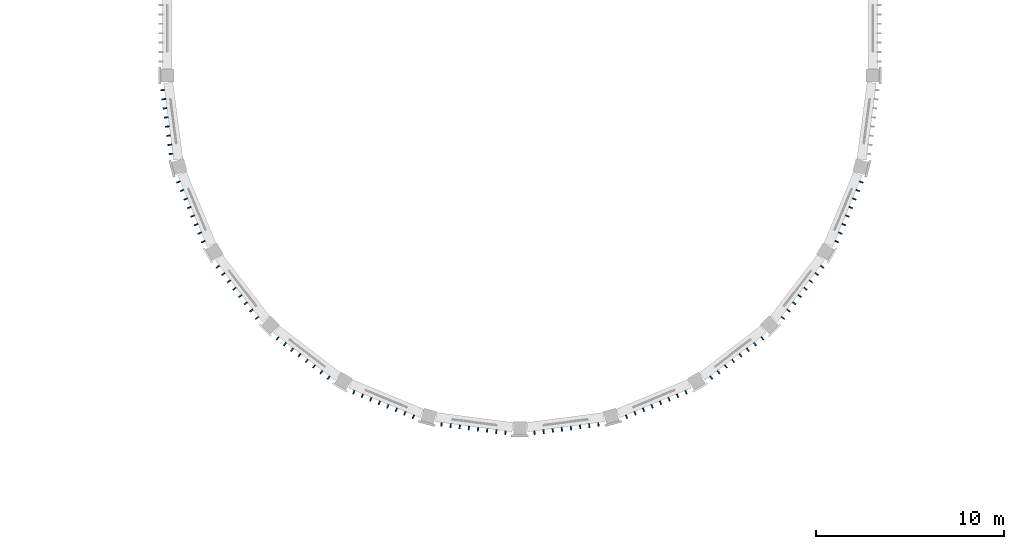
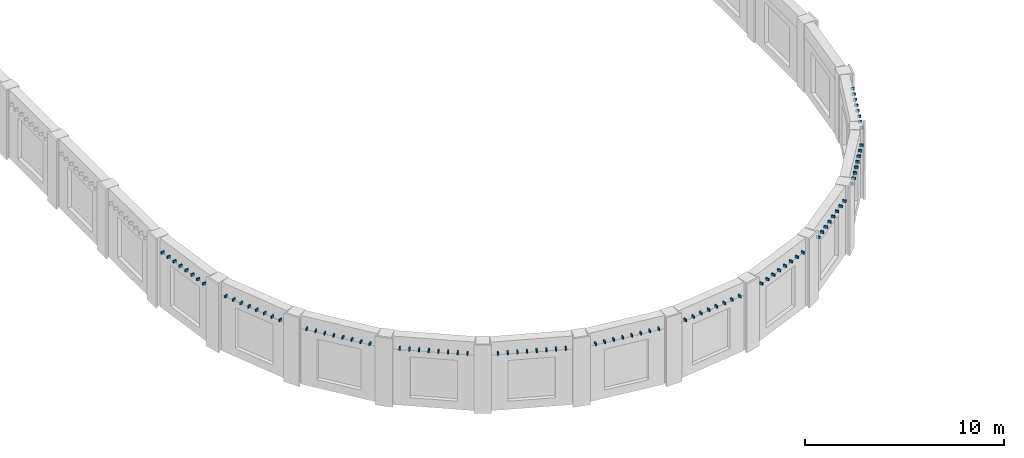
# One storey, part 47 of 71: 88 discrete accessories.
"""IFC4 building model written with IfcOpenShell, lengths in metres."""

import ifcopenshell
import ifcopenshell.guid

model = None  # the IFC model being written
_history = None  # IfcOwnerHistory: only IFC2X3 demands one
_inside = {}  # id of a spatial element -> (the spatial element, [elements in it])
_under = {}  # id of a project, library or spatial element -> (it, [spatial elements below it])
_declared = {}  # id of a project -> (the project, [libraries it declares])
_typed = {}  # id of a type object -> (the type object, [elements of that type])
_made_of = {}  # id of a material, layer set ... -> (it, [elements and type objects made of it])


def new_model(schema):
    """Start an empty IFC model of exactly this schema.

    Asked for "IFC4X3", IfcOpenShell would pick the latest addendum, in which some entities
    have other attributes; the version numbers below select the first issue.
    IFC2X3 requires an IfcOwnerHistory on every rooted entity: one is made here for all.
    """
    global model, _history
    if schema == "IFC4X3":
        model = ifcopenshell.file(schema_version=(4, 3, 0, 0))
    else:
        model = ifcopenshell.file(schema=schema)
    _inside.clear()
    _under.clear()
    _declared.clear()
    _typed.clear()
    _made_of.clear()
    _history = None
    if model.schema == "IFC2X3":
        org = make("IfcOrganization", Name="unknown")
        user = make(
            "IfcPersonAndOrganization",
            ThePerson=make("IfcPerson", FamilyName="unknown"),
            TheOrganization=org,
        )
        app = make(
            "IfcApplication",
            ApplicationDeveloper=org,
            Version="unknown",
            ApplicationFullName="unknown",
            ApplicationIdentifier="unknown",
        )
        _history = make(
            "IfcOwnerHistory",
            OwningUser=user,
            OwningApplication=app,
            ChangeAction="ADDED",
            CreationDate=0,
        )
    return model


def make(cls, **values):
    """One entity of the class cls with the attributes given. An attribute that is None is left unset."""
    return model.create_entity(
        cls, **{name: value for name, value in values.items() if value is not None}
    )


def rooted(cls, **values):
    """An entity with a GlobalId (a new one), such as an element, a storey or a relation."""
    return make(cls, GlobalId=ifcopenshell.guid.new(), OwnerHistory=_history, **values)


def si_unit(unit_type, name, prefix=None):
    """IfcSIUnit, for example si_unit("LENGTHUNIT", "METRE", prefix="MILLI")."""
    return make("IfcSIUnit", UnitType=unit_type, Prefix=prefix, Name=name)


def assignment(units):
    """IfcUnitAssignment: the units of a project."""
    return None if units is None else make("IfcUnitAssignment", Units=units)


def point(xyz):
    """IfcCartesianPoint."""
    return None if xyz is None else make("IfcCartesianPoint", Coordinates=xyz)


def direction(xyz):
    """IfcDirection."""
    return None if xyz is None else make("IfcDirection", DirectionRatios=xyz)


def frame(location, z_axis=None, x_axis=None):
    """IfcAxis2Placement3D, a coordinate frame: its origin and axes. An axis left out is left unset."""
    return make(
        "IfcAxis2Placement3D",
        Location=point(location),
        Axis=direction(z_axis),
        RefDirection=direction(x_axis),
    )


def frame_2d(location, x_axis=None):
    """IfcAxis2Placement2D, a coordinate frame in the plane: its origin and x axis."""
    return make(
        "IfcAxis2Placement2D", Location=point(location), RefDirection=direction(x_axis)
    )


def origin():
    """The frame at (0, 0, 0) with its axes left unset."""
    return frame((0.0, 0.0, 0.0))


def origin_2d():
    """The frame at (0, 0) in the plane with its x axis left unset."""
    return frame_2d((0.0, 0.0))


def place(relative_to, where):
    """IfcLocalPlacement: puts the frame where relative to a parent placement (None: the world)."""
    return make(
        "IfcLocalPlacement", PlacementRelTo=relative_to, RelativePlacement=where
    )


def context(
    kind, dimensions, precision=None, world=None, true_north=None, identifier=None
):
    """IfcGeometricRepresentationContext, for example the 3D "Model" context."""
    return make(
        "IfcGeometricRepresentationContext",
        ContextIdentifier=identifier,
        ContextType=kind,
        CoordinateSpaceDimension=dimensions,
        Precision=precision,
        WorldCoordinateSystem=world,
        TrueNorth=true_north,
    )


def subcontext(parent, identifier, kind, view, scale=None):
    """IfcGeometricRepresentationSubContext, for example "Body" below "Model"."""
    return make(
        "IfcGeometricRepresentationSubContext",
        ContextIdentifier=identifier,
        ContextType=kind,
        ParentContext=parent,
        TargetScale=scale,
        TargetView=view,
    )


def project(units=None, contexts=None):
    """IfcProject with its units and contexts."""
    return rooted(
        "IfcProject",
        Name="project",
        RepresentationContexts=contexts,
        UnitsInContext=assignment(units),
    )


def spatial(cls, under=None, at=None, **own):
    """A site, building, storey or space (cls), placed at a placement, below another one or the project."""
    s = rooted(cls, ObjectPlacement=at, **own)
    if under is not None:
        _under.setdefault(under.id(), (under, []))[1].append(s)
    return s


def profile(cls, at=None, kind="AREA", **sizes):
    """A parametric profile (cls). Its sizes go by their IFC names, for example OverallWidth=200.0."""
    return make(cls, ProfileType=kind, Position=at, **sizes)


def rectangle(**sizes):
    """IfcRectangleProfileDef."""
    return profile("IfcRectangleProfileDef", **sizes)


def extrude(swept, where, along, depth):
    """IfcExtrudedAreaSolid: the profile swept, set in the frame where, extruded along a direction by depth."""
    return make(
        "IfcExtrudedAreaSolid",
        SweptArea=swept,
        Position=where,
        ExtrudedDirection=direction(along),
        Depth=depth,
    )


def shape(context_of_items, identifier, shape_type, items):
    """IfcShapeRepresentation: the items that make up one representation, for example the "Body"."""
    return make(
        "IfcShapeRepresentation",
        ContextOfItems=context_of_items,
        RepresentationIdentifier=identifier,
        RepresentationType=shape_type,
        Items=items,
    )


def material(Name=None, Category=None):
    """IfcMaterial."""
    return make("IfcMaterial", Name=Name, Category=Category)


def made_of(thing, what):
    """Note that an element or type object is made of a material, layer set ...; save() writes the relation."""
    if what is not None:
        _made_of.setdefault(what.id(), (what, []))[1].append(thing)
    return thing


def type_object(cls, material=None, **own):
    """A type object (cls), such as IfcWallType, which elements share."""
    return made_of(rooted(cls, **own), material)


def element(
    cls,
    number,
    at=None,
    inside=None,
    cuts=None,
    type_object=None,
    material=None,
    context=None,
    identifier="Body",
    shape_type=None,
    held_by="IfcProductDefinitionShape",
    body=None,
    shapes=None,
    **own,
):
    """One element of the class cls, such as IfcWall. Its Tag is "e" and its number.

    at: its placement. inside: the storey or other place that contains it. cuts: it is an
    opening in that element (IfcRelVoidsElement). A single representation is given by context,
    identifier, shape_type and body (its items); several are given by shapes. held_by: the class
    of the entity that holds the representations. save() writes the other relations.
    """
    e = rooted(cls, Tag="e%d" % number, ObjectPlacement=at, **own)
    if body is not None:
        shapes = [shape(context, identifier, shape_type, body)]
    if shapes is not None:
        e.Representation = make(held_by, Representations=shapes)
    if inside is not None:
        _inside.setdefault(inside.id(), (inside, []))[1].append(e)
    if cuts is not None:
        rooted(
            "IfcRelVoidsElement", RelatingBuildingElement=cuts, RelatedOpeningElement=e
        )
    if type_object is not None:
        _typed.setdefault(type_object.id(), (type_object, []))[1].append(e)
    return made_of(e, material)


def aggregate(whole, parts):
    """IfcRelAggregates: a whole, such as a stair, and the parts it consists of."""
    return rooted("IfcRelAggregates", RelatingObject=whole, RelatedObjects=parts)


def save(model, path):
    """Write the relations noted so far, then the file.

    IfcRelAggregates (storeys below a building ...), IfcRelContainedInSpatialStructure (elements
    in a storey), IfcRelDefinesByType, IfcRelAssociatesMaterial and IfcRelDeclares: one each for
    every whole, place, type object, material and project.
    """
    for whole, parts in _under.values():
        aggregate(whole, parts)
    for where, things in _inside.values():
        rooted(
            "IfcRelContainedInSpatialStructure",
            RelatedElements=things,
            RelatingStructure=where,
        )
    for kind, things in _typed.values():
        rooted("IfcRelDefinesByType", RelatedObjects=things, RelatingType=kind)
    for what, things in _made_of.values():
        rooted("IfcRelAssociatesMaterial", RelatedObjects=things, RelatingMaterial=what)
    for by, libraries in _declared.values():
        rooted("IfcRelDeclares", RelatingContext=by, RelatedDefinitions=libraries)
    model.write(path)


model = new_model("IFC4")

# Units and contexts
model_context = context("Model", 3, precision=1e-05, world=origin(), true_north=direction((0.0, 1.0)))
body_context = subcontext(model_context, "Body", "Model", "MODEL_VIEW")
ifc_project = project(units=[si_unit("LENGTHUNIT", "METRE"), si_unit("AREAUNIT", "SQUARE_METRE"), si_unit("VOLUMEUNIT", "CUBIC_METRE"), si_unit("PLANEANGLEUNIT", "RADIAN"), si_unit("MASSUNIT", "GRAM", prefix="KILO")], contexts=[model_context])

# Site, building, storey
site_placement = place(None, origin())
site = spatial("IfcSite", under=ifc_project, at=site_placement, CompositionType="ELEMENT")
building_placement = place(site_placement, origin())
building = spatial("IfcBuilding", under=site, at=building_placement, Name="Wasatch Bagh Community Centre", CompositionType="ELEMENT")
storey_placement = place(building_placement, frame((0.0, 0.0, 12.60009765625)))
storey = spatial("IfcBuildingStorey", under=building, at=storey_placement, Name="L03", CompositionType="ELEMENT", Elevation=12.60009765625)

# Discrete accessories
ifc_material = material(Name="ASTM A36 steel", Category="steel")
discrete_accessory_type = type_object("IfcDiscreteAccessoryType", Name="MH fin bracket", PredefinedType="BRACKET", material=ifc_material)
for number, where, z_axis, x_axis, name in (
    (1, (16.998779296875, 34.226318359375, 3.474853515625), (0.0, 0.0, 1.0), (0.13052619222, -0.991444861374, 0.0), "Fin bracket 1.2.3"),
    (2, (17.062744140625, 33.7412109375, 3.474853515625), (0.0, 0.0, 1.0), (0.13052619222, -0.991444861374, 0.0), "Fin bracket 1.3.3"),
    (3, (17.126708984375, 33.255859375, 3.474853515625), (0.0, 0.0, 1.0), (0.13052619222, -0.991444861374, 0.0), "Fin bracket 1.4.3"),
    (4, (17.1904296875, 32.7705078125, 3.474853515625), (0.0, 0.0, 1.0), (0.13052619222, -0.991444861374, 0.0), "Fin bracket 1.5.3"),
    (5, (17.25439453125, 32.28515625, 3.474853515625), (0.0, 0.0, 1.0), (0.13052619222, -0.991444861374, 0.0), "Fin bracket 1.6.3"),
    (6, (17.318359375, 31.800048828125, 3.474853515625), (0.0, 0.0, 1.0), (0.13052619222, -0.991444861374, 0.0), "Fin bracket 1.7.3"),
    (7, (17.382080078125, 31.314697265625, 3.474853515625), (0.0, 0.0, 1.0), (0.13052619222, -0.991444861374, 0.0), "Fin bracket 1.8.3"),
    (8, (17.446044921875, 30.829345703125, 3.474853515625), (0.0, 0.0, 1.0), (0.13052619222, -0.991444861374, 0.0), "Fin bracket 1.9.3"),
    (9, (17.846435546875, 29.3349609375, 3.474853515625), (0.0, 0.0, 1.0), (0.382683432365, -0.923879532511, 0.0), "Fin bracket 2.2.3"),
    (10, (18.033935546875, 28.882568359375, 3.474853515625), (0.0, 0.0, 1.0), (0.382683432365, -0.923879532511, 0.0), "Fin bracket 2.3.3"),
    (11, (18.22119140625, 28.430419921875, 3.474853515625), (0.0, 0.0, 1.0), (0.382683432365, -0.923879532511, 0.0), "Fin bracket 2.4.3"),
    (12, (18.408447265625, 27.978271484375, 3.474853515625), (0.0, 0.0, 1.0), (0.382683432365, -0.923879532511, 0.0), "Fin bracket 2.5.3"),
    (13, (18.595703125, 27.526123046875, 3.474853515625), (0.0, 0.0, 1.0), (0.382683432365, -0.923879532511, 0.0), "Fin bracket 2.6.3"),
    (14, (18.782958984375, 27.07373046875, 3.474853515625), (0.0, 0.0, 1.0), (0.382683432365, -0.923879532511, 0.0), "Fin bracket 2.7.3"),
    (15, (18.970458984375, 26.62158203125, 3.474853515625), (0.0, 0.0, 1.0), (0.382683432365, -0.923879532511, 0.0), "Fin bracket 2.8.3"),
    (16, (19.15771484375, 26.16943359375, 3.474853515625), (0.0, 0.0, 1.0), (0.382683432365, -0.923879532511, 0.0), "Fin bracket 2.9.3"),
    (17, (19.931396484375, 24.829345703125, 3.474853515625), (0.0, 0.0, 1.0), (0.608761429009, -0.793353340291, 0.0), "Fin bracket 3.2.3"),
    (18, (20.229248046875, 24.441162109375, 3.474853515625), (0.0, 0.0, 1.0), (0.608761429009, -0.793353340291, 0.0), "Fin bracket 3.3.3"),
    (19, (20.52734375, 24.052734375, 3.474853515625), (0.0, 0.0, 1.0), (0.608761429009, -0.793353340291, 0.0), "Fin bracket 3.4.3"),
    (20, (20.8251953125, 23.66455078125, 3.474853515625), (0.0, 0.0, 1.0), (0.608761429009, -0.793353340291, 0.0), "Fin bracket 3.5.3"),
    (21, (21.123291015625, 23.276123046875, 3.474853515625), (0.0, 0.0, 1.0), (0.608761429009, -0.793353340291, 0.0), "Fin bracket 3.6.3"),
    (22, (21.421142578125, 22.887939453125, 3.474853515625), (0.0, 0.0, 1.0), (0.608761429009, -0.793353340291, 0.0), "Fin bracket 3.7.3"),
    (23, (21.71923828125, 22.49951171875, 3.474853515625), (0.0, 0.0, 1.0), (0.608761429009, -0.793353340291, 0.0), "Fin bracket 3.8.3"),
    (24, (22.01708984375, 22.111083984375, 3.474853515625), (0.0, 0.0, 1.0), (0.608761429009, -0.793353340291, 0.0), "Fin bracket 3.9.3"),
    (25, (23.111083984375, 21.01708984375, 3.474853515625), (0.0, 0.0, 1.0), (0.793353340291, -0.608761429009, 0.0), "Fin bracket 4.2.3"),
    (26, (23.49951171875, 20.71923828125, 3.474853515625), (0.0, 0.0, 1.0), (0.793353340291, -0.608761429009, 0.0), "Fin bracket 4.3.3"),
    (27, (23.887939453125, 20.421142578125, 3.474853515625), (0.0, 0.0, 1.0), (0.793353340291, -0.608761429009, 0.0), "Fin bracket 4.4.3"),
    (28, (24.276123046875, 20.123291015625, 3.474853515625), (0.0, 0.0, 1.0), (0.793353340291, -0.608761429009, 0.0), "Fin bracket 4.5.3"),
    (29, (24.66455078125, 19.8251953125, 3.474853515625), (0.0, 0.0, 1.0), (0.793353340291, -0.608761429009, 0.0), "Fin bracket 4.6.3"),
    (30, (25.052734375, 19.52734375, 3.474853515625), (0.0, 0.0, 1.0), (0.793353340291, -0.608761429009, 0.0), "Fin bracket 4.7.3"),
    (31, (25.441162109375, 19.229248046875, 3.474853515625), (0.0, 0.0, 1.0), (0.793353340291, -0.608761429009, 0.0), "Fin bracket 4.8.3"),
    (32, (25.829345703125, 18.931396484375, 3.474853515625), (0.0, 0.0, 1.0), (0.793353340291, -0.608761429009, 0.0), "Fin bracket 4.9.3"),
    (33, (27.16943359375, 18.15771484375, 3.474853515625), (0.0, 0.0, 1.0), (0.923879532511, -0.382683432365, 0.0), "Fin bracket 5.2.3"),
    (34, (27.62158203125, 17.970458984375, 3.474853515625), (0.0, 0.0, 1.0), (0.923879532511, -0.382683432365, 0.0), "Fin bracket 5.3.3"),
    (35, (28.07373046875, 17.782958984375, 3.474853515625), (0.0, 0.0, 1.0), (0.923879532511, -0.382683432365, 0.0), "Fin bracket 5.4.3"),
    (36, (28.526123046875, 17.595703125, 3.474853515625), (0.0, 0.0, 1.0), (0.923879532511, -0.382683432365, 0.0), "Fin bracket 5.5.3"),
    (37, (28.978271484375, 17.408447265625, 3.474853515625), (0.0, 0.0, 1.0), (0.923879532511, -0.382683432365, 0.0), "Fin bracket 5.6.3"),
    (38, (29.430419921875, 17.22119140625, 3.474853515625), (0.0, 0.0, 1.0), (0.923879532511, -0.382683432365, 0.0), "Fin bracket 5.7.3"),
    (39, (29.882568359375, 17.033935546875, 3.474853515625), (0.0, 0.0, 1.0), (0.923879532511, -0.382683432365, 0.0), "Fin bracket 5.8.3"),
    (40, (30.3349609375, 16.846435546875, 3.474853515625), (0.0, 0.0, 1.0), (0.923879532511, -0.382683432365, 0.0), "Fin bracket 5.9.3"),
    (41, (31.829345703125, 16.446044921875, 3.474853515625), (0.0, 0.0, 1.0), (0.991444861374, -0.13052619222, 0.0), "Fin bracket 6.2.3"),
    (42, (32.314697265625, 16.382080078125, 3.474853515625), (0.0, 0.0, 1.0), (0.991444861374, -0.13052619222, 0.0), "Fin bracket 6.3.3"),
    (43, (32.800048828125, 16.318359375, 3.474853515625), (0.0, 0.0, 1.0), (0.991444861374, -0.13052619222, 0.0), "Fin bracket 6.4.3"),
    (44, (33.28515625, 16.25439453125, 3.474853515625), (0.0, 0.0, 1.0), (0.991444861374, -0.13052619222, 0.0), "Fin bracket 6.5.3"),
    (45, (33.7705078125, 16.1904296875, 3.474853515625), (0.0, 0.0, 1.0), (0.991444861374, -0.13052619222, 0.0), "Fin bracket 6.6.3"),
    (46, (34.255859375, 16.126708984375, 3.474853515625), (0.0, 0.0, 1.0), (0.991444861374, -0.13052619222, 0.0), "Fin bracket 6.7.3"),
    (47, (34.7412109375, 16.062744140625, 3.474853515625), (0.0, 0.0, 1.0), (0.991444861374, -0.13052619222, 0.0), "Fin bracket 6.8.3"),
    (48, (35.226318359375, 15.998779296875, 3.474853515625), (0.0, 0.0, 1.0), (0.991444861374, -0.13052619222, 0.0), "Fin bracket 6.9.3"),
    (49, (36.773681640625, 15.998779296875, 3.474853515625), (0.0, 0.0, 1.0), (0.991444861374, 0.13052619222, 0.0), "Fin bracket 7.2.3"),
    (50, (37.2587890625, 16.062744140625, 3.474853515625), (0.0, 0.0, 1.0), (0.991444861374, 0.13052619222, 0.0), "Fin bracket 7.3.3"),
    (51, (37.744140625, 16.126708984375, 3.474853515625), (0.0, 0.0, 1.0), (0.991444861374, 0.13052619222, 0.0), "Fin bracket 7.4.3"),
    (52, (38.2294921875, 16.1904296875, 3.474853515625), (0.0, 0.0, 1.0), (0.991444861374, 0.13052619222, 0.0), "Fin bracket 7.5.3"),
    (53, (38.71484375, 16.25439453125, 3.474853515625), (0.0, 0.0, 1.0), (0.991444861374, 0.13052619222, 0.0), "Fin bracket 7.6.3"),
    (54, (39.199951171875, 16.318359375, 3.474853515625), (0.0, 0.0, 1.0), (0.991444861374, 0.13052619222, 0.0), "Fin bracket 7.7.3"),
    (55, (39.685302734375, 16.382080078125, 3.474853515625), (0.0, 0.0, 1.0), (0.991444861374, 0.13052619222, 0.0), "Fin bracket 7.8.3"),
    (56, (40.170654296875, 16.446044921875, 3.474853515625), (0.0, 0.0, 1.0), (0.991444861374, 0.13052619222, 0.0), "Fin bracket 7.9.3"),
    (57, (41.6650390625, 16.846435546875, 3.474853515625), (0.0, 0.0, 1.0), (0.923879532511, 0.382683432365, 0.0), "Fin bracket 8.2.3"),
    (58, (42.117431640625, 17.033935546875, 3.474853515625), (0.0, 0.0, 1.0), (0.923879532511, 0.382683432365, 0.0), "Fin bracket 8.3.3"),
    (59, (42.569580078125, 17.22119140625, 3.474853515625), (0.0, 0.0, 1.0), (0.923879532511, 0.382683432365, 0.0), "Fin bracket 8.4.3"),
    (60, (43.021728515625, 17.408447265625, 3.474853515625), (0.0, 0.0, 1.0), (0.923879532511, 0.382683432365, 0.0), "Fin bracket 8.5.3"),
    (61, (43.473876953125, 17.595703125, 3.474853515625), (0.0, 0.0, 1.0), (0.923879532511, 0.382683432365, 0.0), "Fin bracket 8.6.3"),
    (62, (43.92626953125, 17.782958984375, 3.474853515625), (0.0, 0.0, 1.0), (0.923879532511, 0.382683432365, 0.0), "Fin bracket 8.7.3"),
    (63, (44.37841796875, 17.970458984375, 3.474853515625), (0.0, 0.0, 1.0), (0.923879532511, 0.382683432365, 0.0), "Fin bracket 8.8.3"),
    (64, (44.83056640625, 18.15771484375, 3.474853515625), (0.0, 0.0, 1.0), (0.923879532511, 0.382683432365, 0.0), "Fin bracket 8.9.3"),
    (65, (46.170654296875, 18.931396484375, 3.474853515625), (0.0, 0.0, 1.0), (0.793353340291, 0.608761429009, 0.0), "Fin bracket 9.2.3"),
    (66, (46.558837890625, 19.229248046875, 3.474853515625), (0.0, 0.0, 1.0), (0.793353340291, 0.608761429009, 0.0), "Fin bracket 9.3.3"),
    (67, (46.947265625, 19.52734375, 3.474853515625), (0.0, 0.0, 1.0), (0.793353340291, 0.608761429009, 0.0), "Fin bracket 9.4.3"),
    (68, (47.33544921875, 19.8251953125, 3.474853515625), (0.0, 0.0, 1.0), (0.793353340291, 0.608761429009, 0.0), "Fin bracket 9.5.3"),
    (69, (47.723876953125, 20.123291015625, 3.474853515625), (0.0, 0.0, 1.0), (0.793353340291, 0.608761429009, 0.0), "Fin bracket 9.6.3"),
    (70, (48.112060546875, 20.421142578125, 3.474853515625), (0.0, 0.0, 1.0), (0.793353340291, 0.608761429009, 0.0), "Fin bracket 9.7.3"),
    (71, (48.50048828125, 20.71923828125, 3.474853515625), (0.0, 0.0, 1.0), (0.793353340291, 0.608761429009, 0.0), "Fin bracket 9.8.3"),
    (72, (48.888916015625, 21.01708984375, 3.474853515625), (0.0, 0.0, 1.0), (0.793353340291, 0.608761429009, 0.0), "Fin bracket 9.9.3"),
    (73, (49.98291015625, 22.111083984375, 3.474853515625), (0.0, 0.0, 1.0), (0.608761429009, 0.793353340291, 0.0), "Fin bracket 10.2.3"),
    (74, (50.28076171875, 22.49951171875, 3.474853515625), (0.0, 0.0, 1.0), (0.608761429009, 0.793353340291, 0.0), "Fin bracket 10.3.3"),
    (75, (50.578857421875, 22.887939453125, 3.474853515625), (0.0, 0.0, 1.0), (0.608761429009, 0.793353340291, 0.0), "Fin bracket 10.4.3"),
    (76, (50.876708984375, 23.276123046875, 3.474853515625), (0.0, 0.0, 1.0), (0.608761429009, 0.793353340291, 0.0), "Fin bracket 10.5.3"),
    (77, (51.1748046875, 23.66455078125, 3.474853515625), (0.0, 0.0, 1.0), (0.608761429009, 0.793353340291, 0.0), "Fin bracket 10.6.3"),
    (78, (51.47265625, 24.052734375, 3.474853515625), (0.0, 0.0, 1.0), (0.608761429009, 0.793353340291, 0.0), "Fin bracket 10.7.3"),
    (79, (51.770751953125, 24.441162109375, 3.474853515625), (0.0, 0.0, 1.0), (0.608761429009, 0.793353340291, 0.0), "Fin bracket 10.8.3"),
    (80, (52.068603515625, 24.829345703125, 3.474853515625), (0.0, 0.0, 1.0), (0.608761429009, 0.793353340291, 0.0), "Fin bracket 10.9.3"),
    (81, (52.84228515625, 26.16943359375, 3.474853515625), (0.0, 0.0, 1.0), (0.382683432365, 0.923879532511, 0.0), "Fin bracket 11.2.3"),
    (82, (53.029541015625, 26.62158203125, 3.474853515625), (0.0, 0.0, 1.0), (0.382683432365, 0.923879532511, 0.0), "Fin bracket 11.3.3"),
    (83, (53.217041015625, 27.07373046875, 3.474853515625), (0.0, 0.0, 1.0), (0.382683432365, 0.923879532511, 0.0), "Fin bracket 11.4.3"),
    (84, (53.404296875, 27.526123046875, 3.474853515625), (0.0, 0.0, 1.0), (0.382683432365, 0.923879532511, 0.0), "Fin bracket 11.5.3"),
    (85, (53.591552734375, 27.978271484375, 3.474853515625), (0.0, 0.0, 1.0), (0.382683432365, 0.923879532511, 0.0), "Fin bracket 11.6.3"),
    (86, (53.77880859375, 28.430419921875, 3.474853515625), (0.0, 0.0, 1.0), (0.382683432365, 0.923879532511, 0.0), "Fin bracket 11.7.3"),
    (87, (53.966064453125, 28.882568359375, 3.474853515625), (0.0, 0.0, 1.0), (0.382683432365, 0.923879532511, 0.0), "Fin bracket 11.8.3"),
    (88, (54.153564453125, 29.3349609375, 3.474853515625), (0.0, 0.0, 1.0), (0.382683432365, 0.923879532511, 0.0), "Fin bracket 11.9.3"),
):
    element("IfcDiscreteAccessory", number, at=place(storey_placement, frame(where, z_axis=z_axis, x_axis=x_axis)), inside=storey, type_object=discrete_accessory_type, Name=name, PredefinedType="BRACKET", context=body_context, shape_type="SweptSolid", body=[
        extrude(rectangle(XDim=0.070068359375, YDim=0.199951171875, at=origin_2d()), origin(), (0.0, 0.0, 1.0), 0.14990234375),
    ])

save(model, "model.ifc")
